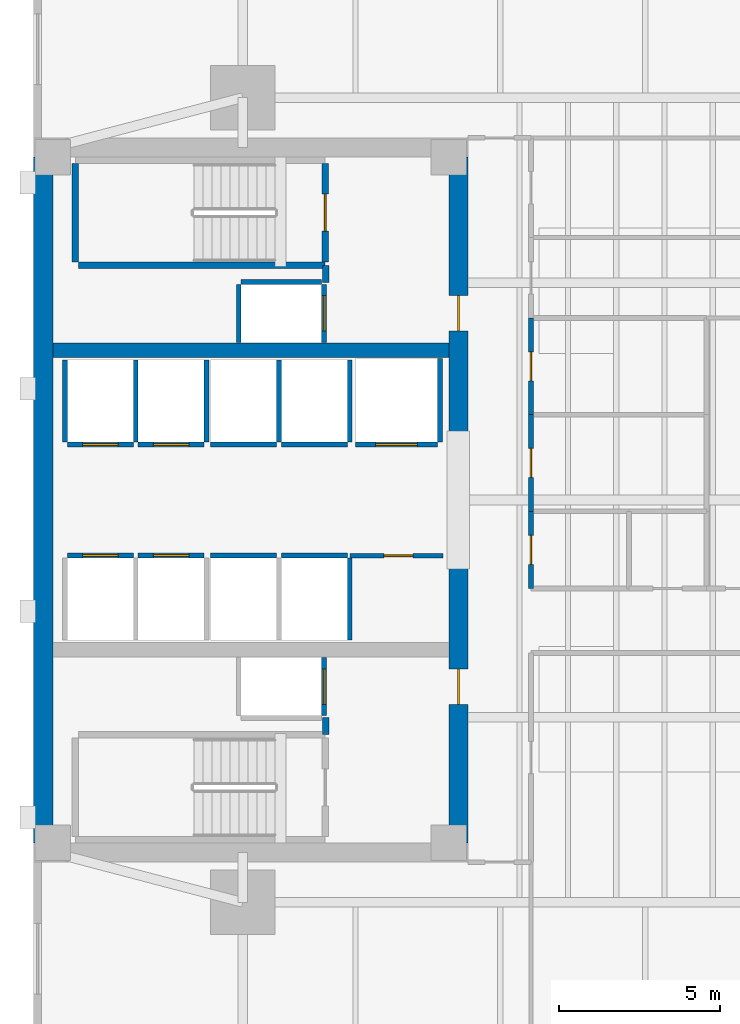
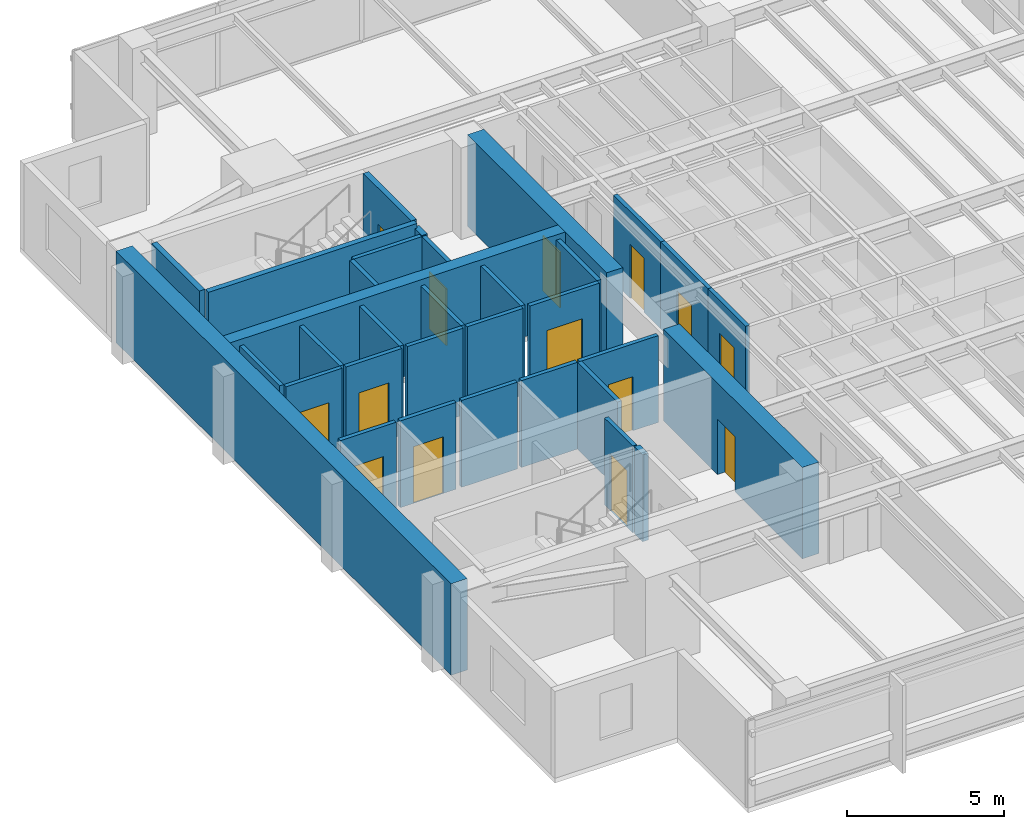
# One storey, part 8 of 15: 33 walls, 14 doors, 14 openings.
"""IFC4 building model written with IfcOpenShell, lengths in metres."""

from ifc_helpers import new_model, si_unit, direction, frame, frame_2d, origin, place, context, subcontext, project, spatial, rectangle, extrude, material, layer, layer_set, type_object, element, fill, save


model = new_model("IFC4")

# Units and contexts
model_context = context("Model", 3, precision=1e-05, world=origin(), true_north=direction((0.0, 1.0)))
body_context = subcontext(model_context, "Body", "Model", "MODEL_VIEW")
ifc_project = project(units=[si_unit("LENGTHUNIT", "METRE"), si_unit("AREAUNIT", "SQUARE_METRE"), si_unit("VOLUMEUNIT", "CUBIC_METRE"), si_unit("PLANEANGLEUNIT", "RADIAN"), si_unit("MASSUNIT", "GRAM", prefix="KILO")], contexts=[model_context])

# Site, building, storey
site_placement = place(None, origin())
site = spatial("IfcSite", under=ifc_project, at=site_placement, CompositionType="ELEMENT")
building_placement = place(site_placement, origin())
building = spatial("IfcBuilding", under=site, at=building_placement, Name="Kinhvarn Gate Tower", CompositionType="ELEMENT")
storey_placement = place(building_placement, frame((0.0, 0.0, 109.35009765625)))
storey = spatial("IfcBuildingStorey", under=building, at=storey_placement, Name="L28", CompositionType="ELEMENT", Elevation=109.35009765625)

# Wall
ifc_material_1 = material(Name="Concrete C50/60", Category="concrete")
ifc_layer_1 = layer(ifc_material_1, 0.449951171875)
ifc_layer_set_1 = layer_set([ifc_layer_1], Name="Concrete C50/60")
wall_type_1 = type_object("IfcWallType", Name="WL-CORE-450", PredefinedType="SHEAR", material=ifc_layer_set_1)
wall_1_placement = place(storey_placement, frame((5.10009765625, 29.89990234375, 0.0), z_axis=(0.0, 0.0, 1.0), x_axis=(1.0, 0.0, 0.0)))
element("IfcWall", 1, at=wall_1_placement, inside=storey, type_object=wall_type_1, Name="Core North Spine Shear Wall L28 450 mm", PredefinedType="SHEAR", context=body_context, shape_type="SweptSolid", body=[
    extrude(rectangle(XDim=12.2998046875, YDim=0.449951171875, at=frame_2d((6.14990234375, 0.0))), origin(), (0.0, 0.0, 1.0), 3.5498046875),
])

# Wall, opening, door
ifc_material_2 = material(Name="Concrete C60/75", Category="concrete")
ifc_layer_2 = layer(ifc_material_2, 0.60009765625)
ifc_layer_set_2 = layer_set([ifc_layer_2], Name="Concrete C60/75")
wall_type_2 = type_object("IfcWallType", Name="WL-CORE-600", PredefinedType="SHEAR", material=ifc_layer_set_2)
wall_2_placement = place(storey_placement, frame((17.699951171875, 14.60009765625, 0.0), z_axis=(0.0, 0.0, 1.0), x_axis=(0.0, 1.0, 0.0)))
wall_2 = element("IfcWall", 2, at=wall_2_placement, inside=storey, type_object=wall_type_2, Name="Core East-South Shear Pier L28 600 mm", PredefinedType="SHEAR", context=body_context, shape_type="SweptSolid", body=[
    extrude(rectangle(XDim=8.849853515625, YDim=0.60009765625, at=frame_2d((4.4248046875, 0.0))), origin(), (0.0, 0.0, 1.0), 3.5498046875),
])
opening_1_placement = place(wall_2_placement, frame((4.300048828125, 0.0, 0.0)))
opening_1 = element("IfcOpeningElement", 3, at=opening_1_placement, cuts=wall_2, Name="Opening FD-02", PredefinedType="OPENING", context=body_context, shape_type="SweptSolid", body=[
    extrude(rectangle(XDim=1.10009765625, YDim=2.14990234375, at=frame_2d((0.550048828125, 1.074951171875))), frame((0.0, 0.31005859375, 0.0), z_axis=(0.0, -1.0, 0.0), x_axis=(1.0, 0.0, 0.0)), (0.0, 0.0, 1.0), 0.6201171875),
])
ifc_material_3 = material(Name="Anodised aluminium AW-6063", Category="aluminium")
door_type_1 = type_object("IfcDoorType", Name="DR-FD-1100", OperationType="NOTDEFINED", PredefinedType="DOOR", material=ifc_material_3)
door_1_placement = place(opening_1_placement, origin())
door_1 = element("IfcDoor", 4, at=door_1_placement, inside=storey, type_object=door_type_1, Name="Firefighting Lobby Core Door (L28)", OperationType="SINGLE_SWING_RIGHT", OverallHeight=2.14990234375, OverallWidth=1.10009765625, PredefinedType="DOOR", context=body_context, shape_type="SweptSolid", body=[
    extrude(rectangle(XDim=1.10009765625, YDim=2.14990234375, at=frame_2d((0.550048828125, 1.074951171875))), frame((0.0, 0.02490234375, 0.0), z_axis=(0.0, -1.0, 0.0), x_axis=(1.0, 0.0, 0.0)), (0.0, 0.0, 1.0), 0.050048828125),
])
fill(opening_1, door_1)

wall_3_placement = place(storey_placement, frame((17.699951171875, 27.050048828125, 0.0), z_axis=(0.0, 0.0, 1.0), x_axis=(0.0, 1.0, 0.0)))
wall_3 = element("IfcWall", 5, at=wall_3_placement, inside=storey, type_object=wall_type_2, Name="Core East-North Shear Pier L28 600 mm", PredefinedType="SHEAR", context=body_context, shape_type="SweptSolid", body=[
    extrude(rectangle(XDim=8.849853515625, YDim=0.60009765625, at=frame_2d((4.4248046875, 0.0))), origin(), (0.0, 0.0, 1.0), 3.5498046875),
])
opening_2_placement = place(wall_3_placement, frame((3.449951171875, 0.0, 0.0)))
opening_2 = element("IfcOpeningElement", 6, at=opening_2_placement, cuts=wall_3, Name="Opening FD-02", PredefinedType="OPENING", context=body_context, shape_type="SweptSolid", body=[
    extrude(rectangle(XDim=1.10009765625, YDim=2.14990234375, at=frame_2d((0.550048828125, 1.074951171875))), frame((0.0, 0.31005859375, 0.0), z_axis=(0.0, -1.0, 0.0), x_axis=(1.0, 0.0, 0.0)), (0.0, 0.0, 1.0), 0.6201171875),
])
door_2_placement = place(opening_2_placement, origin())
door_2 = element("IfcDoor", 7, at=door_2_placement, inside=storey, type_object=door_type_1, Name="Firefighting Lobby Core Door (L28)", OperationType="SINGLE_SWING_LEFT", OverallHeight=2.14990234375, OverallWidth=1.10009765625, PredefinedType="DOOR", context=body_context, shape_type="SweptSolid", body=[
    extrude(rectangle(XDim=1.10009765625, YDim=2.14990234375, at=frame_2d((0.550048828125, 1.074951171875))), frame((0.0, 0.02490234375, 0.0), z_axis=(0.0, -1.0, 0.0), x_axis=(1.0, 0.0, 0.0)), (0.0, 0.0, 1.0), 0.050048828125),
])
fill(opening_2, door_2)

# Wall
ifc_layer_3 = layer(ifc_material_2, 0.60009765625)
ifc_layer_set_3 = layer_set([ifc_layer_3], Name="Concrete C60/75")
wall_type_3 = type_object("IfcWallType", Name="WL-COREX-600", PredefinedType="SHEAR", material=ifc_layer_set_3)
wall_4_placement = place(storey_placement, frame((4.800048828125, 14.60009765625, 0.0), z_axis=(0.0, 0.0, 1.0), x_axis=(0.0, 1.0, 0.0)))
element("IfcWall", 8, at=wall_4_placement, inside=storey, type_object=wall_type_3, Name="Core West Shear Wall L28 600 mm", PredefinedType="SHEAR", context=body_context, shape_type="SweptSolid", body=[
    extrude(rectangle(XDim=21.2998046875, YDim=0.60009765625, at=frame_2d((10.64990234375, 0.0))), origin(), (0.0, 0.0, 1.0), 3.5498046875),
])

# Wall, opening, door
ifc_material_4 = material(Name="Gypsum acoustic partition board")
ifc_layer_4 = layer(ifc_material_4, 0.14990234375)
ifc_layer_set_4 = layer_set([ifc_layer_4], Name="Gypsum acoustic partition board")
wall_type_4 = type_object("IfcWallType", Name="WL-PLM-150F", PredefinedType="PLUMBINGWALL", material=ifc_layer_set_4)
wall_5_placement = place(storey_placement, frame((19.949951171875, 22.5, 0.0), z_axis=(0.0, 0.0, 1.0), x_axis=(0.0, 1.0, 0.0)))
wall_5 = element("IfcWall", 9, at=wall_5_placement, inside=storey, type_object=wall_type_4, Name="Interior Partition PLW-150F (L28)", PredefinedType="PLUMBINGWALL", context=body_context, shape_type="SweptSolid", body=[
    extrude(rectangle(XDim=2.39990234375, YDim=0.14990234375, at=frame_2d((1.199951171875, 0.0))), origin(), (0.0, 0.0, 1.0), 3.369873046875),
])
opening_3_placement = place(wall_5_placement, frame((0.75, 0.0, 0.0)))
opening_3 = element("IfcOpeningElement", 10, at=opening_3_placement, cuts=wall_5, Name="Opening FD-04", PredefinedType="OPENING", context=body_context, shape_type="SweptSolid", body=[
    extrude(rectangle(XDim=0.89990234375, YDim=2.10009765625, at=frame_2d((0.449951171875, 1.050048828125))), frame((0.0, 0.0849609375, 0.0), z_axis=(0.0, -1.0, 0.0), x_axis=(1.0, 0.0, 0.0)), (0.0, 0.0, 1.0), 0.169921875),
])
door_type_2 = type_object("IfcDoorType", Name="DR-FD-900", OperationType="NOTDEFINED", PredefinedType="DOOR", material=ifc_material_3)
door_3_placement = place(opening_3_placement, origin())
door_3 = element("IfcDoor", 11, at=door_3_placement, inside=storey, type_object=door_type_2, Name="Rated Riser & Service Closet Fire Door 900x2100 mm (L28)", OperationType="SINGLE_SWING_RIGHT", OverallHeight=2.10009765625, OverallWidth=0.89990234375, PredefinedType="DOOR", context=body_context, shape_type="SweptSolid", body=[
    extrude(rectangle(XDim=0.89990234375, YDim=2.10009765625, at=frame_2d((0.449951171875, 1.050048828125))), frame((0.0, 0.02490234375, 0.0), z_axis=(0.0, -1.0, 0.0), x_axis=(1.0, 0.0, 0.0)), (0.0, 0.0, 1.0), 0.050048828125),
])
fill(opening_3, door_3)

wall_6_placement = place(storey_placement, frame((19.949951171875, 24.89990234375, 0.0), z_axis=(0.0, 0.0, 1.0), x_axis=(0.0, 1.0, 0.0)))
wall_6 = element("IfcWall", 12, at=wall_6_placement, inside=storey, type_object=wall_type_4, Name="Interior Partition PLW-150F (L28)", PredefinedType="PLUMBINGWALL", context=body_context, shape_type="SweptSolid", body=[
    extrude(rectangle(XDim=3.0, YDim=0.14990234375, at=frame_2d((1.5, 0.0))), origin(), (0.0, 0.0, 1.0), 3.369873046875),
])
opening_4_placement = place(wall_6_placement, frame((1.050048828125, 0.0, 0.0)))
opening_4 = element("IfcOpeningElement", 13, at=opening_4_placement, cuts=wall_6, Name="Opening FD-04", PredefinedType="OPENING", context=body_context, shape_type="SweptSolid", body=[
    extrude(rectangle(XDim=0.89990234375, YDim=2.10009765625, at=frame_2d((0.449951171875, 1.050048828125))), frame((0.0, 0.0849609375, 0.0), z_axis=(0.0, -1.0, 0.0), x_axis=(1.0, 0.0, 0.0)), (0.0, 0.0, 1.0), 0.169921875),
])
door_4_placement = place(opening_4_placement, origin())
door_4 = element("IfcDoor", 14, at=door_4_placement, inside=storey, type_object=door_type_2, Name="Rated Riser & Service Closet Fire Door 900x2100 mm (L28)", OperationType="SINGLE_SWING_LEFT", OverallHeight=2.10009765625, OverallWidth=0.89990234375, PredefinedType="DOOR", context=body_context, shape_type="SweptSolid", body=[
    extrude(rectangle(XDim=0.89990234375, YDim=2.10009765625, at=frame_2d((0.449951171875, 1.050048828125))), frame((0.0, 0.02490234375, 0.0), z_axis=(0.0, -1.0, 0.0), x_axis=(1.0, 0.0, 0.0)), (0.0, 0.0, 1.0), 0.050048828125),
])
fill(opening_4, door_4)

wall_7_placement = place(storey_placement, frame((19.949951171875, 27.89990234375, 0.0), z_axis=(0.0, 0.0, 1.0), x_axis=(0.0, 1.0, 0.0)))
wall_7 = element("IfcWall", 15, at=wall_7_placement, inside=storey, type_object=wall_type_4, Name="Interior Partition PLW-150F (L28)", PredefinedType="PLUMBINGWALL", context=body_context, shape_type="SweptSolid", body=[
    extrude(rectangle(XDim=3.0, YDim=0.14990234375, at=frame_2d((1.5, 0.0))), origin(), (0.0, 0.0, 1.0), 3.369873046875),
])
opening_5_placement = place(wall_7_placement, frame((1.050048828125, 0.0, 0.0)))
opening_5 = element("IfcOpeningElement", 16, at=opening_5_placement, cuts=wall_7, Name="Opening FD-04", PredefinedType="OPENING", context=body_context, shape_type="SweptSolid", body=[
    extrude(rectangle(XDim=0.89990234375, YDim=2.10009765625, at=frame_2d((0.449951171875, 1.050048828125))), frame((0.0, 0.0849609375, 0.0), z_axis=(0.0, -1.0, 0.0), x_axis=(1.0, 0.0, 0.0)), (0.0, 0.0, 1.0), 0.169921875),
])
door_5_placement = place(opening_5_placement, origin())
door_5 = element("IfcDoor", 17, at=door_5_placement, inside=storey, type_object=door_type_2, Name="Rated Riser & Service Closet Fire Door 900x2100 mm (L28)", OperationType="SINGLE_SWING_RIGHT", OverallHeight=2.10009765625, OverallWidth=0.89990234375, PredefinedType="DOOR", context=body_context, shape_type="SweptSolid", body=[
    extrude(rectangle(XDim=0.89990234375, YDim=2.10009765625, at=frame_2d((0.449951171875, 1.050048828125))), frame((0.0, 0.02490234375, 0.0), z_axis=(0.0, -1.0, 0.0), x_axis=(1.0, 0.0, 0.0)), (0.0, 0.0, 1.0), 0.050048828125),
])
fill(opening_5, door_5)

ifc_layer_5 = layer(ifc_material_4, 0.14990234375)
ifc_layer_set_5 = layer_set([ifc_layer_5], Name="Gypsum acoustic partition board")
wall_type_5 = type_object("IfcWallType", Name="WL-PRT-150F", PredefinedType="PARTITIONING", material=ifc_layer_set_5)
wall_8_placement = place(storey_placement, frame((14.330078125, 23.52001953125, 0.0), z_axis=(0.0, 0.0, 1.0), x_axis=(1.0, 0.0, 0.0)))
wall_8 = element("IfcWall", 18, at=wall_8_placement, inside=storey, type_object=wall_type_5, Name="Interior Partition PW-150F (L28)", PredefinedType="PARTITIONING", context=body_context, shape_type="SweptSolid", body=[
    extrude(rectangle(XDim=2.889892578125, YDim=0.14990234375, at=frame_2d((1.44482421875, 0.0))), origin(), (0.0, 0.0, 1.0), 3.369873046875),
])
opening_6_placement = place(wall_8_placement, frame((1.052734375, 0.0, 0.0)))
opening_6 = element("IfcOpeningElement", 19, at=opening_6_placement, cuts=wall_8, Name="Opening FD-04", PredefinedType="OPENING", context=body_context, shape_type="SweptSolid", body=[
    extrude(rectangle(XDim=0.89990234375, YDim=2.10009765625, at=frame_2d((0.449951171875, 1.050048828125))), frame((0.0, 0.0849609375, 0.0), z_axis=(0.0, -1.0, 0.0), x_axis=(1.0, 0.0, 0.0)), (0.0, 0.0, 1.0), 0.169921875),
])
door_6_placement = place(opening_6_placement, origin())
door_6 = element("IfcDoor", 20, at=door_6_placement, inside=storey, type_object=door_type_2, Name="Rated Riser & Service Closet Fire Door 900x2100 mm (L28)", OperationType="SINGLE_SWING_LEFT", OverallHeight=2.10009765625, OverallWidth=0.89990234375, PredefinedType="DOOR", context=body_context, shape_type="SweptSolid", body=[
    extrude(rectangle(XDim=0.89990234375, YDim=2.10009765625, at=frame_2d((0.449951171875, 1.050048828125))), frame((0.0, 0.02490234375, 0.0), z_axis=(0.0, -1.0, 0.0), x_axis=(1.0, 0.0, 0.0)), (0.0, 0.0, 1.0), 0.050048828125),
])
fill(opening_6, door_6)

# Walls
ifc_layer_6 = layer(ifc_material_4, 0.199951171875)
ifc_layer_set_6 = layer_set([ifc_layer_6], Name="Gypsum acoustic partition board")
wall_type_6 = type_object("IfcWallType", Name="WL-PRT-200", PredefinedType="PARTITIONING", material=ifc_layer_set_6)
for number, where, z_axis, x_axis, name in (
    (21, (13.580078125, 17.9599609375, 0.0), (0.0, 0.0, 1.0), (0.0, 1.0, 0.0), "Interior Partition PW-200 (L28)"),
    (22, (13.580078125, 32.0, 0.0), (0.0, 0.0, 1.0), (0.0, 1.0, 0.0), "Interior Partition PW-200 (L28)"),
):
    element("IfcWall", number, at=place(storey_placement, frame(where, z_axis=z_axis, x_axis=x_axis)), inside=storey, type_object=wall_type_6, Name=name, PredefinedType="PARTITIONING", context=body_context, shape_type="SweptSolid", body=[
        extrude(rectangle(XDim=0.5400390625, YDim=0.199951171875, at=frame_2d((0.27001953125, 0.0))), origin(), (0.0, 0.0, 1.0), 3.369873046875),
    ])

# Wall, opening, door
ifc_layer_7 = layer(ifc_material_4, 0.14990234375)
ifc_layer_set_7 = layer_set([ifc_layer_7], Name="Gypsum acoustic partition board")
wall_type_7 = type_object("IfcWallType", Name="WL-SHF-150", PredefinedType="PARTITIONING", material=ifc_layer_set_7)
wall_9_placement = place(storey_placement, frame((5.550048828125, 23.52490234375, 0.0), z_axis=(0.0, 0.0, 1.0), x_axis=(1.0, 0.0, 0.0)))
wall_9 = element("IfcWall", 23, at=wall_9_placement, inside=storey, type_object=wall_type_7, Name="Elevator PM-05 Landing Wall (L28)", PredefinedType="PARTITIONING", context=body_context, shape_type="SweptSolid", body=[
    extrude(rectangle(XDim=2.050048828125, YDim=0.14990234375, at=frame_2d((1.02490234375, 0.0))), origin(), (0.0, 0.0, 1.0), 3.369873046875),
])
opening_7_placement = place(wall_9_placement, frame((0.47509765625, 0.0, 0.0)))
opening_7 = element("IfcOpeningElement", 24, at=opening_7_placement, cuts=wall_9, Name="Opening LD-01", PredefinedType="OPENING", context=body_context, shape_type="SweptSolid", body=[
    extrude(rectangle(XDim=1.10009765625, YDim=2.199951171875, at=frame_2d((0.550048828125, 1.10009765625))), frame((0.0, 0.0849609375, 0.0), z_axis=(0.0, -1.0, 0.0), x_axis=(1.0, 0.0, 0.0)), (0.0, 0.0, 1.0), 0.169921875),
])
door_type_3 = type_object("IfcDoorType", Name="DR-LND-PAS", OperationType="NOTDEFINED", PredefinedType="DOOR", material=ifc_material_3)
door_7_placement = place(opening_7_placement, origin())
door_7 = element("IfcDoor", 25, at=door_7_placement, inside=storey, type_object=door_type_3, Name="Elevator PM-05 Sliding Landing Door (L28)", OperationType="DOUBLE_DOOR_SLIDING", OverallHeight=2.199951171875, OverallWidth=1.10009765625, PredefinedType="DOOR", context=body_context, shape_type="SweptSolid", body=[
    extrude(rectangle(XDim=1.10009765625, YDim=2.199951171875, at=frame_2d((0.550048828125, 1.10009765625))), frame((0.0, 0.02490234375, 0.0), z_axis=(0.0, -1.0, 0.0), x_axis=(1.0, 0.0, 0.0)), (0.0, 0.0, 1.0), 0.050048828125),
])
fill(opening_7, door_7)

wall_10_placement = place(storey_placement, frame((7.75, 23.52490234375, 0.0), z_axis=(0.0, 0.0, 1.0), x_axis=(1.0, 0.0, 0.0)))
wall_10 = element("IfcWall", 26, at=wall_10_placement, inside=storey, type_object=wall_type_7, Name="Elevator PM-06 Landing Wall (L28)", PredefinedType="PARTITIONING", context=body_context, shape_type="SweptSolid", body=[
    extrude(rectangle(XDim=2.050048828125, YDim=0.14990234375, at=frame_2d((1.02490234375, 0.0))), origin(), (0.0, 0.0, 1.0), 3.369873046875),
])
opening_8_placement = place(wall_10_placement, frame((0.47509765625, 0.0, 0.0)))
opening_8 = element("IfcOpeningElement", 27, at=opening_8_placement, cuts=wall_10, Name="Opening LD-01", PredefinedType="OPENING", context=body_context, shape_type="SweptSolid", body=[
    extrude(rectangle(XDim=1.10009765625, YDim=2.199951171875, at=frame_2d((0.550048828125, 1.10009765625))), frame((0.0, 0.0849609375, 0.0), z_axis=(0.0, -1.0, 0.0), x_axis=(1.0, 0.0, 0.0)), (0.0, 0.0, 1.0), 0.169921875),
])
door_8_placement = place(opening_8_placement, origin())
door_8 = element("IfcDoor", 28, at=door_8_placement, inside=storey, type_object=door_type_3, Name="Elevator PM-06 Sliding Landing Door (L28)", OperationType="DOUBLE_DOOR_SLIDING", OverallHeight=2.199951171875, OverallWidth=1.10009765625, PredefinedType="DOOR", context=body_context, shape_type="SweptSolid", body=[
    extrude(rectangle(XDim=1.10009765625, YDim=2.199951171875, at=frame_2d((0.550048828125, 1.10009765625))), frame((0.0, 0.02490234375, 0.0), z_axis=(0.0, -1.0, 0.0), x_axis=(1.0, 0.0, 0.0)), (0.0, 0.0, 1.0), 0.050048828125),
])
fill(opening_8, door_8)

wall_11_placement = place(storey_placement, frame((5.550048828125, 26.97509765625, 0.0), z_axis=(0.0, 0.0, 1.0), x_axis=(1.0, 0.0, 0.0)))
wall_11 = element("IfcWall", 29, at=wall_11_placement, inside=storey, type_object=wall_type_7, Name="Elevator PM-07 Landing Wall (L28)", PredefinedType="PARTITIONING", context=body_context, shape_type="SweptSolid", body=[
    extrude(rectangle(XDim=2.050048828125, YDim=0.14990234375, at=frame_2d((1.02490234375, 0.0))), origin(), (0.0, 0.0, 1.0), 3.369873046875),
])
opening_9_placement = place(wall_11_placement, frame((0.47509765625, 0.0, 0.0)))
opening_9 = element("IfcOpeningElement", 30, at=opening_9_placement, cuts=wall_11, Name="Opening LD-01", PredefinedType="OPENING", context=body_context, shape_type="SweptSolid", body=[
    extrude(rectangle(XDim=1.10009765625, YDim=2.199951171875, at=frame_2d((0.550048828125, 1.10009765625))), frame((0.0, 0.0849609375, 0.0), z_axis=(0.0, -1.0, 0.0), x_axis=(1.0, 0.0, 0.0)), (0.0, 0.0, 1.0), 0.169921875),
])
door_9_placement = place(opening_9_placement, origin())
door_9 = element("IfcDoor", 31, at=door_9_placement, inside=storey, type_object=door_type_3, Name="Elevator PM-07 Sliding Landing Door (L28)", OperationType="DOUBLE_DOOR_SLIDING", OverallHeight=2.199951171875, OverallWidth=1.10009765625, PredefinedType="DOOR", context=body_context, shape_type="SweptSolid", body=[
    extrude(rectangle(XDim=1.10009765625, YDim=2.199951171875, at=frame_2d((0.550048828125, 1.10009765625))), frame((0.0, 0.02490234375, 0.0), z_axis=(0.0, -1.0, 0.0), x_axis=(1.0, 0.0, 0.0)), (0.0, 0.0, 1.0), 0.050048828125),
])
fill(opening_9, door_9)

# Walls
for number, where, z_axis, x_axis, name in (
    (32, (5.47509765625, 27.050048828125, 0.0), (0.0, 0.0, 1.0), (0.0, 1.0, 0.0), "Elevator PM-07 Hoistway Wall W (L28)"),
    (33, (7.675048828125, 27.050048828125, 0.0), (0.0, 0.0, 1.0), (0.0, 1.0, 0.0), "Elevator PM-07 Hoistway Wall E (L28)"),
):
    element("IfcWall", number, at=place(storey_placement, frame(where, z_axis=z_axis, x_axis=x_axis)), inside=storey, type_object=wall_type_7, Name=name, PredefinedType="PARTITIONING", context=body_context, shape_type="SweptSolid", body=[
        extrude(rectangle(XDim=2.550048828125, YDim=0.14990234375, at=frame_2d((1.27490234375, 0.0))), origin(), (0.0, 0.0, 1.0), 3.369873046875),
    ])

# Wall, opening, door
wall_12_placement = place(storey_placement, frame((7.75, 26.97509765625, 0.0), z_axis=(0.0, 0.0, 1.0), x_axis=(1.0, 0.0, 0.0)))
wall_12 = element("IfcWall", 34, at=wall_12_placement, inside=storey, type_object=wall_type_7, Name="Elevator PM-08 Landing Wall (L28)", PredefinedType="PARTITIONING", context=body_context, shape_type="SweptSolid", body=[
    extrude(rectangle(XDim=2.050048828125, YDim=0.14990234375, at=frame_2d((1.02490234375, 0.0))), origin(), (0.0, 0.0, 1.0), 3.369873046875),
])
opening_10_placement = place(wall_12_placement, frame((0.47509765625, 0.0, 0.0)))
opening_10 = element("IfcOpeningElement", 35, at=opening_10_placement, cuts=wall_12, Name="Opening LD-01", PredefinedType="OPENING", context=body_context, shape_type="SweptSolid", body=[
    extrude(rectangle(XDim=1.10009765625, YDim=2.199951171875, at=frame_2d((0.550048828125, 1.10009765625))), frame((0.0, 0.0849609375, 0.0), z_axis=(0.0, -1.0, 0.0), x_axis=(1.0, 0.0, 0.0)), (0.0, 0.0, 1.0), 0.169921875),
])
door_10_placement = place(opening_10_placement, origin())
door_10 = element("IfcDoor", 36, at=door_10_placement, inside=storey, type_object=door_type_3, Name="Elevator PM-08 Sliding Landing Door (L28)", OperationType="DOUBLE_DOOR_SLIDING", OverallHeight=2.199951171875, OverallWidth=1.10009765625, PredefinedType="DOOR", context=body_context, shape_type="SweptSolid", body=[
    extrude(rectangle(XDim=1.10009765625, YDim=2.199951171875, at=frame_2d((0.550048828125, 1.10009765625))), frame((0.0, 0.02490234375, 0.0), z_axis=(0.0, -1.0, 0.0), x_axis=(1.0, 0.0, 0.0)), (0.0, 0.0, 1.0), 0.050048828125),
])
fill(opening_10, door_10)

# Walls
wall_13_placement = place(storey_placement, frame((9.875, 27.050048828125, 0.0), z_axis=(0.0, 0.0, 1.0), x_axis=(0.0, 1.0, 0.0)))
element("IfcWall", 37, at=wall_13_placement, inside=storey, type_object=wall_type_7, Name="Elevator PM-08 Hoistway Wall E (L28)", PredefinedType="PARTITIONING", context=body_context, shape_type="SweptSolid", body=[
    extrude(rectangle(XDim=2.550048828125, YDim=0.14990234375, at=frame_2d((1.27490234375, 0.0))), origin(), (0.0, 0.0, 1.0), 3.369873046875),
])
for number, where, z_axis, x_axis, name in (
    (38, (10.0, 23.52490234375, 0.0), (0.0, 0.0, 1.0), (1.0, 0.0, 0.0), "Elevator PH-09 Landing Wall (L28)"),
    (39, (12.199951171875, 23.52490234375, 0.0), (0.0, 0.0, 1.0), (1.0, 0.0, 0.0), "Elevator PH-10 Landing Wall (L28)"),
):
    element("IfcWall", number, at=place(storey_placement, frame(where, z_axis=z_axis, x_axis=x_axis)), inside=storey, type_object=wall_type_7, Name=name, PredefinedType="PARTITIONING", context=body_context, shape_type="SweptSolid", body=[
        extrude(rectangle(XDim=2.050048828125, YDim=0.14990234375, at=frame_2d((1.02490234375, 0.0))), origin(), (0.0, 0.0, 1.0), 3.369873046875),
    ])
wall_14_placement = place(storey_placement, frame((14.324951171875, 20.89990234375, 0.0), z_axis=(0.0, 0.0, 1.0), x_axis=(0.0, 1.0, 0.0)))
element("IfcWall", 40, at=wall_14_placement, inside=storey, type_object=wall_type_7, Name="Elevator PH-10 Hoistway Wall E (L28)", PredefinedType="PARTITIONING", context=body_context, shape_type="SweptSolid", body=[
    extrude(rectangle(XDim=2.550048828125, YDim=0.14990234375, at=frame_2d((1.27490234375, 0.0))), origin(), (0.0, 0.0, 1.0), 3.369873046875),
])
wall_15_placement = place(storey_placement, frame((10.0, 26.97509765625, 0.0), z_axis=(0.0, 0.0, 1.0), x_axis=(1.0, 0.0, 0.0)))
element("IfcWall", 41, at=wall_15_placement, inside=storey, type_object=wall_type_7, Name="Elevator PH-11 Landing Wall (L28)", PredefinedType="PARTITIONING", context=body_context, shape_type="SweptSolid", body=[
    extrude(rectangle(XDim=2.050048828125, YDim=0.14990234375, at=frame_2d((1.02490234375, 0.0))), origin(), (0.0, 0.0, 1.0), 3.369873046875),
])
wall_16_placement = place(storey_placement, frame((12.125, 27.050048828125, 0.0), z_axis=(0.0, 0.0, 1.0), x_axis=(0.0, 1.0, 0.0)))
element("IfcWall", 42, at=wall_16_placement, inside=storey, type_object=wall_type_7, Name="Elevator PH-11 Hoistway Wall E (L28)", PredefinedType="PARTITIONING", context=body_context, shape_type="SweptSolid", body=[
    extrude(rectangle(XDim=2.550048828125, YDim=0.14990234375, at=frame_2d((1.27490234375, 0.0))), origin(), (0.0, 0.0, 1.0), 3.369873046875),
])
wall_17_placement = place(storey_placement, frame((12.199951171875, 26.97509765625, 0.0), z_axis=(0.0, 0.0, 1.0), x_axis=(1.0, 0.0, 0.0)))
element("IfcWall", 43, at=wall_17_placement, inside=storey, type_object=wall_type_7, Name="Elevator PH-12 Landing Wall (L28)", PredefinedType="PARTITIONING", context=body_context, shape_type="SweptSolid", body=[
    extrude(rectangle(XDim=2.050048828125, YDim=0.14990234375, at=frame_2d((1.02490234375, 0.0))), origin(), (0.0, 0.0, 1.0), 3.369873046875),
])
wall_18_placement = place(storey_placement, frame((14.324951171875, 27.050048828125, 0.0), z_axis=(0.0, 0.0, 1.0), x_axis=(0.0, 1.0, 0.0)))
element("IfcWall", 44, at=wall_18_placement, inside=storey, type_object=wall_type_7, Name="Elevator PH-12 Hoistway Wall E (L28)", PredefinedType="PARTITIONING", context=body_context, shape_type="SweptSolid", body=[
    extrude(rectangle(XDim=2.550048828125, YDim=0.14990234375, at=frame_2d((1.27490234375, 0.0))), origin(), (0.0, 0.0, 1.0), 3.369873046875),
])

# Wall, opening, door
wall_19_placement = place(storey_placement, frame((14.5, 26.97509765625, 0.0), z_axis=(0.0, 0.0, 1.0), x_axis=(1.0, 0.0, 0.0)))
wall_19 = element("IfcWall", 45, at=wall_19_placement, inside=storey, type_object=wall_type_7, Name="Elevator SV-01 Landing Wall (L28)", PredefinedType="PARTITIONING", context=body_context, shape_type="SweptSolid", body=[
    extrude(rectangle(XDim=2.550048828125, YDim=0.14990234375, at=frame_2d((1.27490234375, 0.0))), origin(), (0.0, 0.0, 1.0), 3.369873046875),
])
opening_11_placement = place(wall_19_placement, frame((0.625, 0.0, 0.0)))
opening_11 = element("IfcOpeningElement", 46, at=opening_11_placement, cuts=wall_19, Name="Opening LD-02", PredefinedType="OPENING", context=body_context, shape_type="SweptSolid", body=[
    extrude(rectangle(XDim=1.300048828125, YDim=2.199951171875, at=frame_2d((0.64990234375, 1.10009765625))), frame((0.0, 0.0849609375, 0.0), z_axis=(0.0, -1.0, 0.0), x_axis=(1.0, 0.0, 0.0)), (0.0, 0.0, 1.0), 0.169921875),
])
door_type_4 = type_object("IfcDoorType", Name="DR-LND-SRV", OperationType="NOTDEFINED", PredefinedType="DOOR", material=ifc_material_3)
door_11_placement = place(opening_11_placement, origin())
door_11 = element("IfcDoor", 47, at=door_11_placement, inside=storey, type_object=door_type_4, Name="Elevator SV-01 Sliding Landing Door (L28)", OperationType="DOUBLE_DOOR_SLIDING", OverallHeight=2.199951171875, OverallWidth=1.300048828125, PredefinedType="DOOR", context=body_context, shape_type="SweptSolid", body=[
    extrude(rectangle(XDim=1.300048828125, YDim=2.199951171875, at=frame_2d((0.64990234375, 1.10009765625))), frame((0.0, 0.02490234375, 0.0), z_axis=(0.0, -1.0, 0.0), x_axis=(1.0, 0.0, 0.0)), (0.0, 0.0, 1.0), 0.050048828125),
])
fill(opening_11, door_11)

# Wall
wall_20_placement = place(storey_placement, frame((17.125, 27.050048828125, 0.0), z_axis=(0.0, 0.0, 1.0), x_axis=(0.0, 1.0, 0.0)))
element("IfcWall", 48, at=wall_20_placement, inside=storey, type_object=wall_type_7, Name="Elevator SV-01 Hoistway Wall E (L28)", PredefinedType="PARTITIONING", context=body_context, shape_type="SweptSolid", body=[
    extrude(rectangle(XDim=2.599853515625, YDim=0.14990234375, at=frame_2d((1.2998046875, 0.0))), origin(), (0.0, 0.0, 1.0), 3.369873046875),
])

# Wall, opening, door
wall_21_placement = place(storey_placement, frame((13.52490234375, 18.550048828125, 0.0), z_axis=(0.0, 0.0, 1.0), x_axis=(0.0, 1.0, 0.0)))
wall_21 = element("IfcWall", 49, at=wall_21_placement, inside=storey, type_object=wall_type_7, Name="Elevator FF1 Landing Wall (L28)", PredefinedType="PARTITIONING", context=body_context, shape_type="SweptSolid", body=[
    extrude(rectangle(XDim=1.800048828125, YDim=0.14990234375, at=frame_2d((0.89990234375, 0.0))), origin(), (0.0, 0.0, 1.0), 3.369873046875),
])
opening_12_placement = place(wall_21_placement, frame((0.35009765625, 0.0, 0.0)))
opening_12 = element("IfcOpeningElement", 50, at=opening_12_placement, cuts=wall_21, Name="Opening LD-03", PredefinedType="OPENING", context=body_context, shape_type="SweptSolid", body=[
    extrude(rectangle(XDim=1.10009765625, YDim=2.199951171875, at=frame_2d((0.550048828125, 1.10009765625))), frame((0.0, 0.0849609375, 0.0), z_axis=(0.0, -1.0, 0.0), x_axis=(1.0, 0.0, 0.0)), (0.0, 0.0, 1.0), 0.169921875),
])
door_type_5 = type_object("IfcDoorType", Name="DR-LND-FF", OperationType="NOTDEFINED", PredefinedType="DOOR", material=ifc_material_3)
door_12_placement = place(opening_12_placement, origin())
door_12 = element("IfcDoor", 51, at=door_12_placement, inside=storey, type_object=door_type_5, Name="Elevator FF1 Sliding Landing Door (L28)", OperationType="DOUBLE_DOOR_SLIDING", OverallHeight=2.199951171875, OverallWidth=1.10009765625, PredefinedType="DOOR", context=body_context, shape_type="SweptSolid", body=[
    extrude(rectangle(XDim=1.10009765625, YDim=2.199951171875, at=frame_2d((0.550048828125, 1.10009765625))), frame((0.0, 0.02490234375, 0.0), z_axis=(0.0, -1.0, 0.0), x_axis=(1.0, 0.0, 0.0)), (0.0, 0.0, 1.0), 0.050048828125),
])
fill(opening_12, door_12)

# Walls
wall_22_placement = place(storey_placement, frame((10.949951171875, 32.02490234375, 0.0), z_axis=(0.0, 0.0, 1.0), x_axis=(1.0, 0.0, 0.0)))
element("IfcWall", 52, at=wall_22_placement, inside=storey, type_object=wall_type_7, Name="Elevator FF2 Hoistway Wall N (L28)", PredefinedType="PARTITIONING", context=body_context, shape_type="SweptSolid", body=[
    extrude(rectangle(XDim=2.5, YDim=0.14990234375, at=frame_2d((1.25, 0.0))), origin(), (0.0, 0.0, 1.0), 3.369873046875),
])
wall_23_placement = place(storey_placement, frame((10.875, 30.14990234375, 0.0), z_axis=(0.0, 0.0, 1.0), x_axis=(0.0, 1.0, 0.0)))
element("IfcWall", 53, at=wall_23_placement, inside=storey, type_object=wall_type_7, Name="Elevator FF2 Hoistway Wall W (L28)", PredefinedType="PARTITIONING", context=body_context, shape_type="SweptSolid", body=[
    extrude(rectangle(XDim=1.800048828125, YDim=0.14990234375, at=frame_2d((0.89990234375, 0.0))), origin(), (0.0, 0.0, 1.0), 3.369873046875),
])

# Wall, opening, door
wall_24_placement = place(storey_placement, frame((13.52490234375, 30.14990234375, 0.0), z_axis=(0.0, 0.0, 1.0), x_axis=(0.0, 1.0, 0.0)))
wall_24 = element("IfcWall", 54, at=wall_24_placement, inside=storey, type_object=wall_type_7, Name="Elevator FF2 Landing Wall (L28)", PredefinedType="PARTITIONING", context=body_context, shape_type="SweptSolid", body=[
    extrude(rectangle(XDim=1.800048828125, YDim=0.14990234375, at=frame_2d((0.89990234375, 0.0))), origin(), (0.0, 0.0, 1.0), 3.369873046875),
])
opening_13_placement = place(wall_24_placement, frame((0.35009765625, 0.0, 0.0)))
opening_13 = element("IfcOpeningElement", 55, at=opening_13_placement, cuts=wall_24, Name="Opening LD-03", PredefinedType="OPENING", context=body_context, shape_type="SweptSolid", body=[
    extrude(rectangle(XDim=1.10009765625, YDim=2.199951171875, at=frame_2d((0.550048828125, 1.10009765625))), frame((0.0, 0.0849609375, 0.0), z_axis=(0.0, -1.0, 0.0), x_axis=(1.0, 0.0, 0.0)), (0.0, 0.0, 1.0), 0.169921875),
])
door_13_placement = place(opening_13_placement, origin())
door_13 = element("IfcDoor", 56, at=door_13_placement, inside=storey, type_object=door_type_5, Name="Elevator FF2 Sliding Landing Door (L28)", OperationType="DOUBLE_DOOR_SLIDING", OverallHeight=2.199951171875, OverallWidth=1.10009765625, PredefinedType="DOOR", context=body_context, shape_type="SweptSolid", body=[
    extrude(rectangle(XDim=1.10009765625, YDim=2.199951171875, at=frame_2d((0.550048828125, 1.10009765625))), frame((0.0, 0.02490234375, 0.0), z_axis=(0.0, -1.0, 0.0), x_axis=(1.0, 0.0, 0.0)), (0.0, 0.0, 1.0), 0.050048828125),
])
fill(opening_13, door_13)

# Walls
ifc_material_5 = material(Name="Concrete C40/50", Category="concrete")
ifc_layer_8 = layer(ifc_material_5, 0.199951171875)
ifc_layer_set_8 = layer_set([ifc_layer_8], Name="Concrete C40/50")
wall_type_8 = type_object("IfcWallType", Name="WL-SHF-200", PredefinedType="SOLIDWALL", material=ifc_layer_set_8)
wall_25_placement = place(storey_placement, frame((5.7900390625, 32.64990234375, 0.0), z_axis=(0.0, 0.0, 1.0), x_axis=(0.0, 1.0, 0.0)))
element("IfcWall", 57, at=wall_25_placement, inside=storey, type_object=wall_type_8, Name="Stair ST2 West Shaft Wall (L28)", PredefinedType="SOLIDWALL", context=body_context, shape_type="SweptSolid", body=[
    extrude(rectangle(XDim=3.050048828125, YDim=0.199951171875, at=frame_2d((1.52490234375, 0.0))), origin(), (0.0, 0.0, 1.0), 3.5498046875),
])
wall_26_placement = place(storey_placement, frame((5.89990234375, 32.5400390625, 0.0), z_axis=(0.0, 0.0, 1.0), x_axis=(1.0, 0.0, 0.0)))
element("IfcWall", 58, at=wall_26_placement, inside=storey, type_object=wall_type_8, Name="Stair ST2 South Shaft Wall (L28)", PredefinedType="SOLIDWALL", context=body_context, shape_type="SweptSolid", body=[
    extrude(rectangle(XDim=7.66015625, YDim=0.199951171875, at=frame_2d((3.830078125, 0.0))), origin(), (0.0, 0.0, 1.0), 3.5498046875),
])

# Wall, opening, door
wall_27_placement = place(storey_placement, frame((13.56005859375, 32.64990234375, 0.0), z_axis=(0.0, 0.0, 1.0), x_axis=(0.0, 1.0, 0.0)))
wall_27 = element("IfcWall", 59, at=wall_27_placement, inside=storey, type_object=wall_type_8, Name="Stair ST2 East Entry Wall (L28)", PredefinedType="SOLIDWALL", context=body_context, shape_type="SweptSolid", body=[
    extrude(rectangle(XDim=3.050048828125, YDim=0.199951171875, at=frame_2d((1.52490234375, 0.0))), origin(), (0.0, 0.0, 1.0), 3.5498046875),
])
opening_14_placement = place(wall_27_placement, frame((0.949951171875, 0.0, 0.0)))
opening_14 = element("IfcOpeningElement", 60, at=opening_14_placement, cuts=wall_27, Name="Opening FD-01", PredefinedType="OPENING", context=body_context, shape_type="SweptSolid", body=[
    extrude(rectangle(XDim=1.14990234375, YDim=2.14990234375, at=frame_2d((0.574951171875, 1.074951171875))), frame((0.0, 0.10986328125, 0.0), z_axis=(0.0, -1.0, 0.0), x_axis=(1.0, 0.0, 0.0)), (0.0, 0.0, 1.0), 0.219970703125),
])
door_type_6 = type_object("IfcDoorType", Name="DR-ST-1150", OperationType="NOTDEFINED", PredefinedType="DOOR", material=ifc_material_3)
door_14_placement = place(opening_14_placement, origin())
door_14 = element("IfcDoor", 61, at=door_14_placement, inside=storey, type_object=door_type_6, Name="Exit Stair ST2 Fire Door (L28)", OperationType="SINGLE_SWING_LEFT", OverallHeight=2.14990234375, OverallWidth=1.14990234375, PredefinedType="DOOR", context=body_context, shape_type="SweptSolid", body=[
    extrude(rectangle(XDim=1.14990234375, YDim=2.14990234375, at=frame_2d((0.574951171875, 1.074951171875))), frame((0.0, 0.02490234375, 0.0), z_axis=(0.0, -1.0, 0.0), x_axis=(1.0, 0.0, 0.0)), (0.0, 0.0, 1.0), 0.050048828125),
])
fill(opening_14, door_14)

save(model, "model.ifc")
